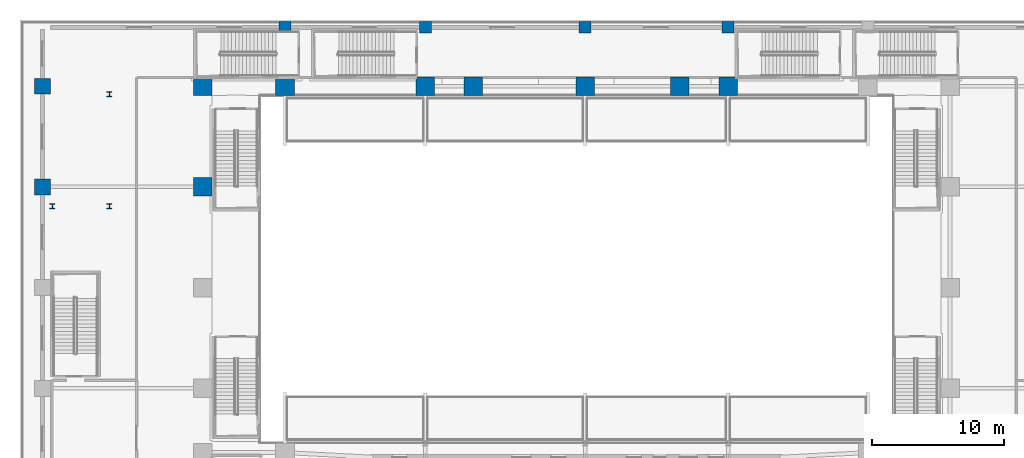
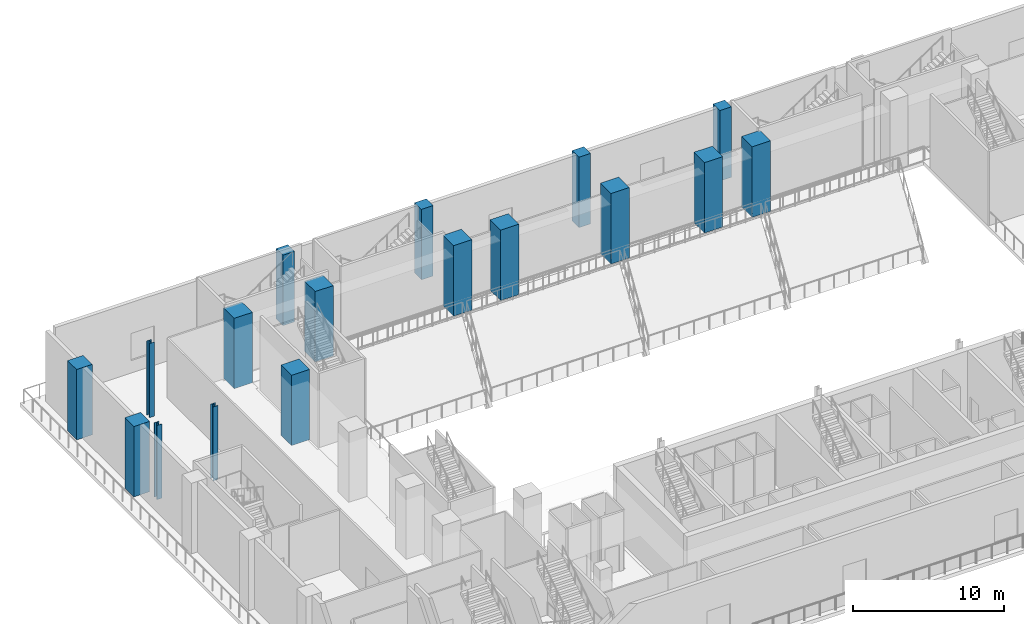
# One storey, part 3 of 30: 17 columns.
"""IFC4 building model written with IfcOpenShell, lengths in metres."""

from ifc_helpers import new_model, si_unit, direction, frame, origin, origin_2d, place, context, subcontext, project, spatial, rectangle, i_section, extrude, material, material_profile, profile_set, type_object, element, save


model = new_model("IFC4")

# Units and contexts
model_context = context("Model", 3, precision=1e-05, world=origin(), true_north=direction((0.0, 1.0)))
body_context = subcontext(model_context, "Body", "Model", "MODEL_VIEW")
ifc_project = project(units=[si_unit("LENGTHUNIT", "METRE"), si_unit("AREAUNIT", "SQUARE_METRE"), si_unit("VOLUMEUNIT", "CUBIC_METRE"), si_unit("PLANEANGLEUNIT", "RADIAN"), si_unit("MASSUNIT", "GRAM", prefix="KILO")], contexts=[model_context])

# Site, building, storey
site_placement = place(None, origin())
site = spatial("IfcSite", under=ifc_project, at=site_placement, CompositionType="ELEMENT")
building_placement = place(site_placement, origin())
building = spatial("IfcBuilding", under=site, at=building_placement, Name="Ndaravel Arena Tower", CompositionType="ELEMENT")
storey_placement = place(building_placement, frame((0.0, 0.0, 6.0)))
storey = spatial("IfcBuildingStorey", under=building, at=storey_placement, Name="L01", CompositionType="ELEMENT", Elevation=6.0)

# Columns
ifc_material_1 = material(Name="Concrete C40/50", Category="concrete")
ifc_material_profile_1 = material_profile(ifc_material_1, rectangle(XDim=0.89990234375, YDim=0.89990234375, at=origin_2d()), Name="RC 900x900")
ifc_profile_set_1 = profile_set([ifc_material_profile_1], Name="Concrete C40/50")
column_type_1 = type_object("IfcColumnType", Name="COL-BSMT-RC900", PredefinedType="COLUMN", material=ifc_profile_set_1)
for number, where, z_axis, x_axis, name in (
    (1, (20.0, 47.449951171875, 0.0), (0.0, 0.0, 1.0), (1.0, 0.0, 0.0), "L01 North Concourse Column 1"),
    (2, (30.60009765625, 47.449951171875, 0.0), (0.0, 0.0, 1.0), (1.0, 0.0, 0.0), "L01 North Concourse Column 2"),
    (3, (42.64990234375, 47.449951171875, 0.0), (0.0, 0.0, 1.0), (1.0, 0.0, 0.0), "L01 North Concourse Column 3"),
    (4, (53.449951171875, 47.449951171875, 0.0), (0.0, 0.0, 1.0), (1.0, 0.0, 0.0), "L01 North Concourse Column 4"),
):
    element("IfcColumn", number, at=place(storey_placement, frame(where, z_axis=z_axis, x_axis=x_axis)), inside=storey, type_object=column_type_1, Name=name, PredefinedType="COLUMN", context=body_context, shape_type="SweptSolid", body=[
        extrude(rectangle(XDim=0.89990234375, YDim=0.89990234375, at=origin_2d()), origin(), (0.0, 0.0, 1.0), 5.699951171875),
    ])
ifc_material_2 = material(Name="Steel S355", Category="steel")
ifc_material_profile_2 = material_profile(ifc_material_2, i_section(OverallWidth=0.374755859375, OverallDepth=0.37451171875, WebThickness=0.0166015625, FlangeThickness=0.027099609375, FilletRadius=0.01513671875, at=origin_2d()), Name="UC 356x368x202")
ifc_profile_set_2 = profile_set([ifc_material_profile_2], Name="Steel S355")
column_type_2 = type_object("IfcColumnType", Name="COL-CRN-UC202", PredefinedType="COLUMN", material=ifc_profile_set_2)
for number, where, z_axis, x_axis, name in (
    (5, (2.449951171875, 33.949951171875, 0.0), (0.0, 0.0, 1.0), (1.0, 0.0, 0.0), "L01 Garden Stair ST-GDN-1 Pier 1.1"),
    (6, (6.75, 33.949951171875, 0.0), (0.0, 0.0, 1.0), (1.0, 0.0, 0.0), "L01 Garden Stair ST-GDN-1 Pier 2.1"),
    (7, (6.75, 42.39990234375, 0.0), (0.0, 0.0, 1.0), (1.0, 0.0, 0.0), "L01 Garden Stair ST-GDN-1 Pier 2.2"),
):
    element("IfcColumn", number, at=place(storey_placement, frame(where, z_axis=z_axis, x_axis=x_axis)), inside=storey, type_object=column_type_2, Name=name, PredefinedType="COLUMN", context=body_context, shape_type="SweptSolid", body=[
        extrude(i_section(OverallWidth=0.374755859375, OverallDepth=0.37451171875, WebThickness=0.0166015625, FlangeThickness=0.027099609375, FilletRadius=0.01513671875, at=origin_2d()), origin(), (0.0, 0.0, 1.0), 6.0),
    ])
ifc_material_3 = material(Name="Concrete C60/75", Category="concrete")
ifc_material_profile_3 = material_profile(ifc_material_3, rectangle(XDim=1.199951171875, YDim=1.199951171875, at=origin_2d()), Name="RC 1200x1200")
ifc_profile_set_3 = profile_set([ifc_material_profile_3], Name="Concrete C60/75")
column_type_3 = type_object("IfcColumnType", Name="COL-MEGA-RC1200", PredefinedType="COLUMN", material=ifc_profile_set_3)
for number, where, z_axis, x_axis, name in (
    (8, (1.699951171875, 35.39990234375, 0.0), (0.0, 0.0, 1.0), (1.0, 0.0, 0.0), "L01 Perimeter Mega Column 05"),
    (9, (1.699951171875, 43.0, 0.0), (0.0, 0.0, 1.0), (1.0, 0.0, 0.0), "L01 Perimeter Mega Column 06"),
):
    element("IfcColumn", number, at=place(storey_placement, frame(where, z_axis=z_axis, x_axis=x_axis)), inside=storey, type_object=column_type_3, Name=name, PredefinedType="COLUMN", context=body_context, shape_type="SweptSolid", body=[
        extrude(rectangle(XDim=1.199951171875, YDim=1.199951171875, at=origin_2d()), origin(), (0.0, 0.0, 1.0), 5.699951171875),
    ])
ifc_material_4 = material(Name="Concrete C60/75", Category="concrete")
ifc_material_profile_4 = material_profile(ifc_material_4, rectangle(XDim=1.39990234375, YDim=1.39990234375, at=origin_2d()), Name="RC 1400x1400")
ifc_profile_set_4 = profile_set([ifc_material_profile_4], Name="Concrete C60/75")
column_type_4 = type_object("IfcColumnType", Name="COL-MEGA-RC1400", PredefinedType="COLUMN", material=ifc_profile_set_4)
for number, where, z_axis, x_axis, name in (
    (10, (13.800048828125, 35.39990234375, 0.0), (0.0, 0.0, 1.0), (1.0, 0.0, 0.0), "L01 Arena Ring Mega Column 04"),
    (11, (13.800048828125, 43.0, 0.0), (0.0, 0.0, 1.0), (1.0, 0.0, 0.0), "L01 Arena Ring Mega Column 05"),
    (12, (20.0, 43.0, 0.0), (0.0, 0.0, 1.0), (1.0, 0.0, 0.0), "L01 Arena Ring Mega Column 13"),
    (13, (30.60009765625, 43.0, 0.0), (0.0, 0.0, 1.0), (1.0, 0.0, 0.0), "L01 Arena Ring Mega Column 14"),
    (14, (34.199951171875, 43.0, 0.0), (0.0, 0.0, 1.0), (1.0, 0.0, 0.0), "L01 Arena Ring Mega Column 15"),
    (15, (42.64990234375, 43.0, 0.0), (0.0, 0.0, 1.0), (1.0, 0.0, 0.0), "L01 Arena Ring Mega Column 16"),
    (16, (49.800048828125, 43.0, 0.0), (0.0, 0.0, 1.0), (1.0, 0.0, 0.0), "L01 Arena Ring Mega Column 17"),
    (17, (53.449951171875, 43.0, 0.0), (0.0, 0.0, 1.0), (1.0, 0.0, 0.0), "L01 Arena Ring Mega Column 18"),
):
    element("IfcColumn", number, at=place(storey_placement, frame(where, z_axis=z_axis, x_axis=x_axis)), inside=storey, type_object=column_type_4, Name=name, PredefinedType="COLUMN", context=body_context, shape_type="SweptSolid", body=[
        extrude(rectangle(XDim=1.39990234375, YDim=1.39990234375, at=origin_2d()), origin(), (0.0, 0.0, 1.0), 5.699951171875),
    ])

save(model, "model.ifc")
